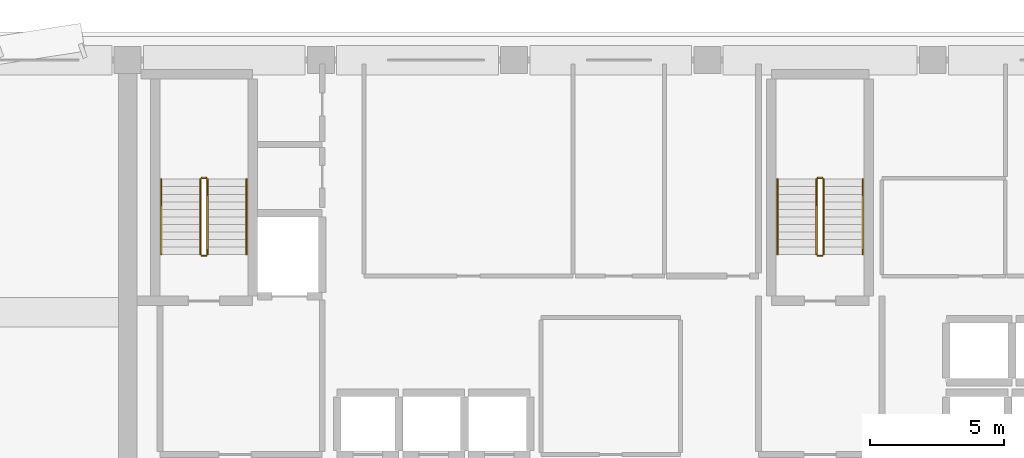
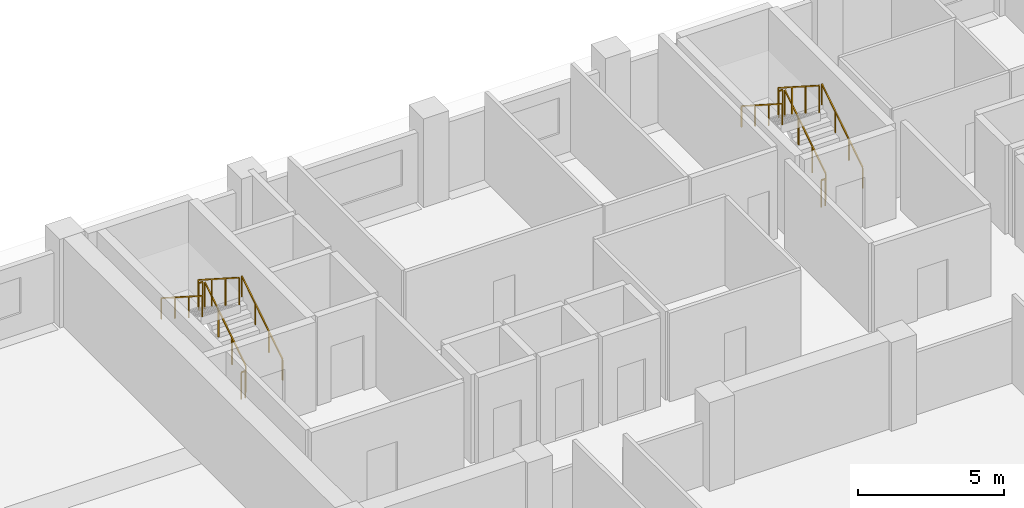
# One storey, part 12 of 13: 12 railings.
"""IFC4 building model written with IfcOpenShell, lengths in metres."""

from ifc_helpers import new_model, si_unit, direction, frame, origin, origin_2d, place, context, subcontext, project, spatial, rectangle, extrude, material, type_object, element, save


model = new_model("IFC4")

# Units and contexts
model_context = context("Model", 3, precision=1e-05, world=origin(), true_north=direction((0.0, 1.0)))
body_context = subcontext(model_context, "Body", "Model", "MODEL_VIEW")
ifc_project = project(units=[si_unit("LENGTHUNIT", "METRE"), si_unit("AREAUNIT", "SQUARE_METRE"), si_unit("VOLUMEUNIT", "CUBIC_METRE"), si_unit("PLANEANGLEUNIT", "RADIAN"), si_unit("MASSUNIT", "GRAM", prefix="KILO")], contexts=[model_context])

# Site, building, storey
site_placement = place(None, origin())
site = spatial("IfcSite", under=ifc_project, at=site_placement, CompositionType="ELEMENT")
building_placement = place(site_placement, origin())
building = spatial("IfcBuilding", under=site, at=building_placement, Name="Kaelvorn Grand Hotel", CompositionType="ELEMENT")
storey_placement = place(building_placement, frame((0.0, 0.0, 229.14990234375)))
storey = spatial("IfcBuildingStorey", under=building, at=storey_placement, Name="L56", CompositionType="ELEMENT", Elevation=229.14990234375)

# Railings
ifc_material = material(Name="Stainless Steel", Category="steel")
railing_type_1 = type_object("IfcRailingType", Name="RL-HANDRAIL-900", PredefinedType="HANDRAIL", material=ifc_material)
railing_1_placement = place(storey_placement, frame((20.6298828125, 41.760009765625, 0.1796875)))
element("IfcRailing", 1, at=railing_1_placement, inside=storey, type_object=railing_type_1, Name="L56 ST1 stair handrail 1", PredefinedType="HANDRAIL", context=body_context, shape_type="SweptSolid", body=[
    extrude(rectangle(XDim=0.048095703125, YDim=0.048095703125, at=origin_2d()), frame((0.0, 0.0, 0.8759765625), z_axis=(0.0, 0.841809871826, 0.539774156196), x_axis=(-1.0, 0.0, 0.0)), (0.0, 0.0, 1.0), 3.326171875),
    extrude(rectangle(XDim=0.0419921875, YDim=0.0419921875, at=origin_2d()), origin(), (0.0, 0.0, 1.0), 0.851806640625),
    extrude(rectangle(XDim=0.0419921875, YDim=0.0419921875, at=origin_2d()), frame((0.0, 0.933349609375, 0.598388671875)), (0.0, 0.0, 1.0), 0.851806640625),
    extrude(rectangle(XDim=0.0419921875, YDim=0.0419921875, at=origin_2d()), frame((0.0, 1.86669921875, 1.197021484375)), (0.0, 0.0, 1.0), 0.851806640625),
    extrude(rectangle(XDim=0.0419921875, YDim=0.0419921875, at=origin_2d()), frame((0.0, 2.800048828125, 1.79541015625)), (0.0, 0.0, 1.0), 0.851806640625),
])
railing_2_placement = place(storey_placement, frame((17.449951171875, 44.56005859375, 2.154541015625)))
element("IfcRailing", 2, at=railing_2_placement, inside=storey, type_object=railing_type_1, Name="L56 ST1 stair handrail 2", PredefinedType="HANDRAIL", context=body_context, shape_type="SweptSolid", body=[
    extrude(rectangle(XDim=0.048095703125, YDim=0.048095703125, at=origin_2d()), frame((0.0, 0.0, 0.8759765625), z_axis=(0.0, -0.841776520102, 0.539826166654), x_axis=(1.0, 0.0, 0.0)), (0.0, 0.0, 1.0), 3.326416015625),
    extrude(rectangle(XDim=0.0419921875, YDim=0.0419921875, at=origin_2d()), origin(), (0.0, 0.0, 1.0), 0.851806640625),
    extrude(rectangle(XDim=0.0419921875, YDim=0.0419921875, at=origin_2d()), frame((0.0, -0.933349609375, 0.5986328125)), (0.0, 0.0, 1.0), 0.851806640625),
    extrude(rectangle(XDim=0.0419921875, YDim=0.0419921875, at=origin_2d()), frame((0.0, -1.86669921875, 1.197021484375)), (0.0, 0.0, 1.0), 0.851806640625),
    extrude(rectangle(XDim=0.0419921875, YDim=0.0419921875, at=origin_2d()), frame((0.0, -2.800048828125, 1.795654296875)), (0.0, 0.0, 1.0), 0.851806640625),
])
railing_3_placement = place(storey_placement, frame((43.590087890625, 41.760009765625, 0.1796875)))
element("IfcRailing", 3, at=railing_3_placement, inside=storey, type_object=railing_type_1, Name="L56 ST2 stair handrail 1", PredefinedType="HANDRAIL", context=body_context, shape_type="SweptSolid", body=[
    extrude(rectangle(XDim=0.048095703125, YDim=0.048095703125, at=origin_2d()), frame((0.0, 0.0, 0.8759765625), z_axis=(0.0, 0.841809871826, 0.539774156196), x_axis=(-1.0, 0.0, 0.0)), (0.0, 0.0, 1.0), 3.326171875),
    extrude(rectangle(XDim=0.0419921875, YDim=0.0419921875, at=origin_2d()), origin(), (0.0, 0.0, 1.0), 0.851806640625),
    extrude(rectangle(XDim=0.0419921875, YDim=0.0419921875, at=origin_2d()), frame((0.0, 0.933349609375, 0.598388671875)), (0.0, 0.0, 1.0), 0.851806640625),
    extrude(rectangle(XDim=0.0419921875, YDim=0.0419921875, at=origin_2d()), frame((0.0, 1.86669921875, 1.197021484375)), (0.0, 0.0, 1.0), 0.851806640625),
    extrude(rectangle(XDim=0.0419921875, YDim=0.0419921875, at=origin_2d()), frame((0.0, 2.800048828125, 1.79541015625)), (0.0, 0.0, 1.0), 0.851806640625),
])
railing_4_placement = place(storey_placement, frame((40.409912109375, 44.56005859375, 2.154541015625)))
element("IfcRailing", 4, at=railing_4_placement, inside=storey, type_object=railing_type_1, Name="L56 ST2 stair handrail 2", PredefinedType="HANDRAIL", context=body_context, shape_type="SweptSolid", body=[
    extrude(rectangle(XDim=0.048095703125, YDim=0.048095703125, at=origin_2d()), frame((0.0, 0.0, 0.8759765625), z_axis=(0.0, -0.841776520102, 0.539826166654), x_axis=(1.0, 0.0, 0.0)), (0.0, 0.0, 1.0), 3.326416015625),
    extrude(rectangle(XDim=0.0419921875, YDim=0.0419921875, at=origin_2d()), origin(), (0.0, 0.0, 1.0), 0.851806640625),
    extrude(rectangle(XDim=0.0419921875, YDim=0.0419921875, at=origin_2d()), frame((0.0, -0.933349609375, 0.5986328125)), (0.0, 0.0, 1.0), 0.851806640625),
    extrude(rectangle(XDim=0.0419921875, YDim=0.0419921875, at=origin_2d()), frame((0.0, -1.86669921875, 1.197021484375)), (0.0, 0.0, 1.0), 0.851806640625),
    extrude(rectangle(XDim=0.0419921875, YDim=0.0419921875, at=origin_2d()), frame((0.0, -2.800048828125, 1.795654296875)), (0.0, 0.0, 1.0), 0.851806640625),
])
railing_type_2 = type_object("IfcRailingType", Name="RL-STAIR-GUARD-1150", PredefinedType="BALUSTRADE", material=ifc_material)
railing_5_placement = place(storey_placement, frame((19.169921875, 41.760009765625, 0.1796875)))
element("IfcRailing", 5, at=railing_5_placement, inside=storey, type_object=railing_type_2, Name="L56 ST1 stair guard 1", PredefinedType="BALUSTRADE", context=body_context, shape_type="SweptSolid", body=[
    extrude(rectangle(XDim=0.048095703125, YDim=0.048095703125, at=origin_2d()), frame((0.0, 0.0, 1.1259765625), z_axis=(0.0, 0.841809871826, 0.539774156196), x_axis=(-1.0, 0.0, 0.0)), (0.0, 0.0, 1.0), 3.326171875),
    extrude(rectangle(XDim=0.0419921875, YDim=0.0419921875, at=origin_2d()), origin(), (0.0, 0.0, 1.0), 1.101806640625),
    extrude(rectangle(XDim=0.0419921875, YDim=0.0419921875, at=origin_2d()), frame((0.0, 0.933349609375, 0.598388671875)), (0.0, 0.0, 1.0), 1.101806640625),
    extrude(rectangle(XDim=0.0419921875, YDim=0.0419921875, at=origin_2d()), frame((0.0, 1.86669921875, 1.197021484375)), (0.0, 0.0, 1.0), 1.101806640625),
    extrude(rectangle(XDim=0.0419921875, YDim=0.0419921875, at=origin_2d()), frame((0.0, 2.800048828125, 1.79541015625)), (0.0, 0.0, 1.0), 1.101806640625),
])
railing_6_placement = place(storey_placement, frame((19.1201171875, 44.610107421875, 1.97509765625)))
element("IfcRailing", 6, at=railing_6_placement, inside=storey, type_object=railing_type_2, Name="L56 ST1 stair guard 2", PredefinedType="BALUSTRADE", context=body_context, shape_type="SweptSolid", body=[
    extrude(rectangle(XDim=0.048095703125, YDim=0.048095703125, at=origin_2d()), frame((0.0, 0.0, 1.1259765625), z_axis=(-1.0, 0.0, 0.0), x_axis=(0.0, -1.0, 0.0)), (0.0, 0.0, 1.0), 0.16015625),
    extrude(rectangle(XDim=0.0419921875, YDim=0.0419921875, at=origin_2d()), origin(), (0.0, 0.0, 1.0), 1.101806640625),
    extrude(rectangle(XDim=0.0419921875, YDim=0.0419921875, at=origin_2d()), frame((-0.16015625, 0.0, 0.0)), (0.0, 0.0, 1.0), 1.101806640625),
])
railing_7_placement = place(storey_placement, frame((18.909912109375, 44.56005859375, 2.154541015625)))
element("IfcRailing", 7, at=railing_7_placement, inside=storey, type_object=railing_type_2, Name="L56 ST1 stair guard 3", PredefinedType="BALUSTRADE", context=body_context, shape_type="SweptSolid", body=[
    extrude(rectangle(XDim=0.048095703125, YDim=0.048095703125, at=origin_2d()), frame((0.0, 0.0, 1.1259765625), z_axis=(0.0, -0.841776520102, 0.539826166654), x_axis=(1.0, 0.0, 0.0)), (0.0, 0.0, 1.0), 3.326416015625),
    extrude(rectangle(XDim=0.0419921875, YDim=0.0419921875, at=origin_2d()), origin(), (0.0, 0.0, 1.0), 1.101806640625),
    extrude(rectangle(XDim=0.0419921875, YDim=0.0419921875, at=origin_2d()), frame((0.0, -0.933349609375, 0.5986328125)), (0.0, 0.0, 1.0), 1.101806640625),
    extrude(rectangle(XDim=0.0419921875, YDim=0.0419921875, at=origin_2d()), frame((0.0, -1.86669921875, 1.197021484375)), (0.0, 0.0, 1.0), 1.101806640625),
    extrude(rectangle(XDim=0.0419921875, YDim=0.0419921875, at=origin_2d()), frame((0.0, -2.800048828125, 1.795654296875)), (0.0, 0.0, 1.0), 1.101806640625),
])
railing_8_placement = place(storey_placement, frame((19.1201171875, 41.7099609375, 0.0)))
element("IfcRailing", 8, at=railing_8_placement, inside=storey, type_object=railing_type_2, Name="L56 ST1 stair guard 4", PredefinedType="BALUSTRADE", context=body_context, shape_type="SweptSolid", body=[
    extrude(rectangle(XDim=0.048095703125, YDim=0.048095703125, at=origin_2d()), frame((0.0, 0.0, 1.1259765625), z_axis=(-1.0, 0.0, 0.0), x_axis=(0.0, -1.0, 0.0)), (0.0, 0.0, 1.0), 0.16015625),
    extrude(rectangle(XDim=0.0419921875, YDim=0.0419921875, at=origin_2d()), origin(), (0.0, 0.0, 1.0), 1.101806640625),
    extrude(rectangle(XDim=0.0419921875, YDim=0.0419921875, at=origin_2d()), frame((-0.16015625, 0.0, 0.0)), (0.0, 0.0, 1.0), 1.101806640625),
])
railing_9_placement = place(storey_placement, frame((42.1298828125, 41.760009765625, 0.1796875)))
element("IfcRailing", 9, at=railing_9_placement, inside=storey, type_object=railing_type_2, Name="L56 ST2 stair guard 1", PredefinedType="BALUSTRADE", context=body_context, shape_type="SweptSolid", body=[
    extrude(rectangle(XDim=0.048095703125, YDim=0.048095703125, at=origin_2d()), frame((0.0, 0.0, 1.1259765625), z_axis=(0.0, 0.841809871826, 0.539774156196), x_axis=(-1.0, 0.0, 0.0)), (0.0, 0.0, 1.0), 3.326171875),
    extrude(rectangle(XDim=0.0419921875, YDim=0.0419921875, at=origin_2d()), origin(), (0.0, 0.0, 1.0), 1.101806640625),
    extrude(rectangle(XDim=0.0419921875, YDim=0.0419921875, at=origin_2d()), frame((0.0, 0.933349609375, 0.598388671875)), (0.0, 0.0, 1.0), 1.101806640625),
    extrude(rectangle(XDim=0.0419921875, YDim=0.0419921875, at=origin_2d()), frame((0.0, 1.86669921875, 1.197021484375)), (0.0, 0.0, 1.0), 1.101806640625),
    extrude(rectangle(XDim=0.0419921875, YDim=0.0419921875, at=origin_2d()), frame((0.0, 2.800048828125, 1.79541015625)), (0.0, 0.0, 1.0), 1.101806640625),
])
railing_10_placement = place(storey_placement, frame((42.080078125, 44.610107421875, 1.97509765625)))
element("IfcRailing", 10, at=railing_10_placement, inside=storey, type_object=railing_type_2, Name="L56 ST2 stair guard 2", PredefinedType="BALUSTRADE", context=body_context, shape_type="SweptSolid", body=[
    extrude(rectangle(XDim=0.048095703125, YDim=0.048095703125, at=origin_2d()), frame((0.0, 0.0, 1.1259765625), z_axis=(-1.0, 0.0, 0.0), x_axis=(0.0, -1.0, 0.0)), (0.0, 0.0, 1.0), 0.16015625),
    extrude(rectangle(XDim=0.0419921875, YDim=0.0419921875, at=origin_2d()), origin(), (0.0, 0.0, 1.0), 1.101806640625),
    extrude(rectangle(XDim=0.0419921875, YDim=0.0419921875, at=origin_2d()), frame((-0.16015625, 0.0, 0.0)), (0.0, 0.0, 1.0), 1.101806640625),
])
railing_11_placement = place(storey_placement, frame((41.8701171875, 44.56005859375, 2.154541015625)))
element("IfcRailing", 11, at=railing_11_placement, inside=storey, type_object=railing_type_2, Name="L56 ST2 stair guard 3", PredefinedType="BALUSTRADE", context=body_context, shape_type="SweptSolid", body=[
    extrude(rectangle(XDim=0.048095703125, YDim=0.048095703125, at=origin_2d()), frame((0.0, 0.0, 1.1259765625), z_axis=(0.0, -0.841776520102, 0.539826166654), x_axis=(1.0, 0.0, 0.0)), (0.0, 0.0, 1.0), 3.326416015625),
    extrude(rectangle(XDim=0.0419921875, YDim=0.0419921875, at=origin_2d()), origin(), (0.0, 0.0, 1.0), 1.101806640625),
    extrude(rectangle(XDim=0.0419921875, YDim=0.0419921875, at=origin_2d()), frame((0.0, -0.933349609375, 0.5986328125)), (0.0, 0.0, 1.0), 1.101806640625),
    extrude(rectangle(XDim=0.0419921875, YDim=0.0419921875, at=origin_2d()), frame((0.0, -1.86669921875, 1.197021484375)), (0.0, 0.0, 1.0), 1.101806640625),
    extrude(rectangle(XDim=0.0419921875, YDim=0.0419921875, at=origin_2d()), frame((0.0, -2.800048828125, 1.795654296875)), (0.0, 0.0, 1.0), 1.101806640625),
])
railing_12_placement = place(storey_placement, frame((42.080078125, 41.7099609375, 0.0)))
element("IfcRailing", 12, at=railing_12_placement, inside=storey, type_object=railing_type_2, Name="L56 ST2 stair guard 4", PredefinedType="BALUSTRADE", context=body_context, shape_type="SweptSolid", body=[
    extrude(rectangle(XDim=0.048095703125, YDim=0.048095703125, at=origin_2d()), frame((0.0, 0.0, 1.1259765625), z_axis=(-1.0, 0.0, 0.0), x_axis=(0.0, -1.0, 0.0)), (0.0, 0.0, 1.0), 0.16015625),
    extrude(rectangle(XDim=0.0419921875, YDim=0.0419921875, at=origin_2d()), origin(), (0.0, 0.0, 1.0), 1.101806640625),
    extrude(rectangle(XDim=0.0419921875, YDim=0.0419921875, at=origin_2d()), frame((-0.16015625, 0.0, 0.0)), (0.0, 0.0, 1.0), 1.101806640625),
])

save(model, "model.ifc")
